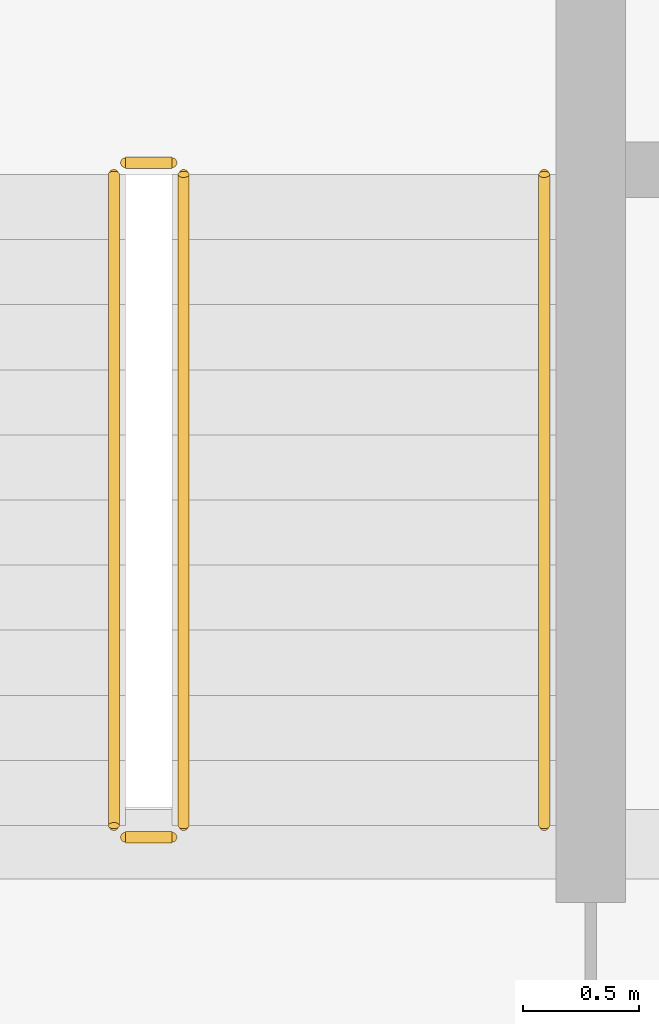
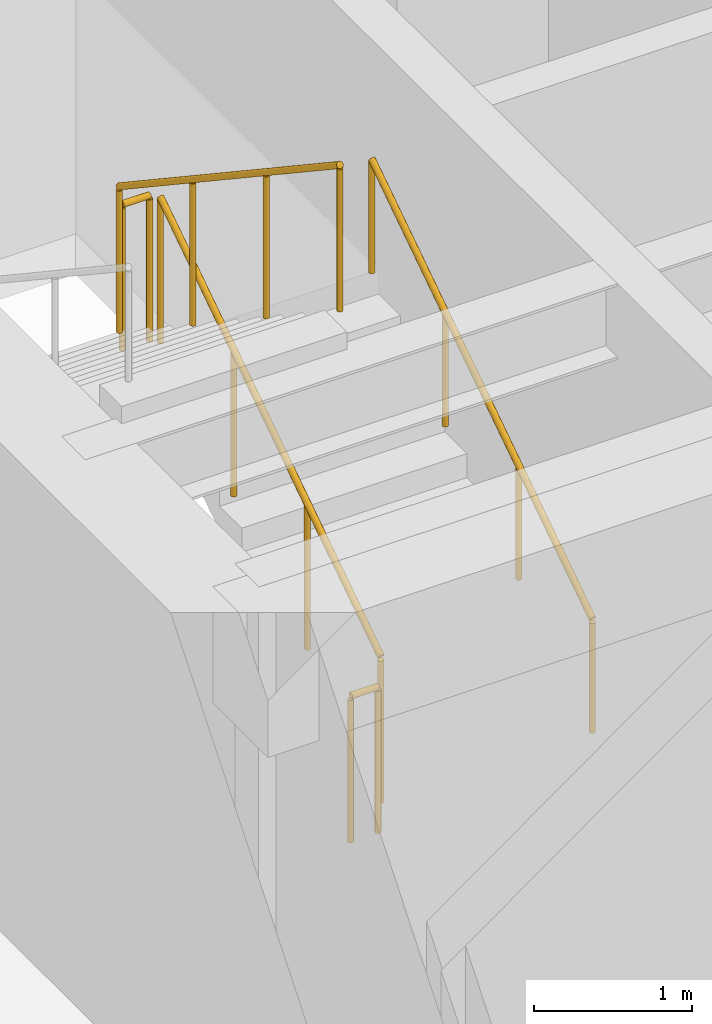
# One storey, part 35 of 37: 5 railings.
"""IFC4 building model written with IfcOpenShell, lengths in metres."""

import ifcopenshell
import ifcopenshell.guid

model = None  # the IFC model being written
_history = None  # IfcOwnerHistory: only IFC2X3 demands one
_inside = {}  # id of a spatial element -> (the spatial element, [elements in it])
_under = {}  # id of a project, library or spatial element -> (it, [spatial elements below it])
_declared = {}  # id of a project -> (the project, [libraries it declares])
_typed = {}  # id of a type object -> (the type object, [elements of that type])
_made_of = {}  # id of a material, layer set ... -> (it, [elements and type objects made of it])


def new_model(schema):
    """Start an empty IFC model of exactly this schema.

    Asked for "IFC4X3", IfcOpenShell would pick the latest addendum, in which some entities
    have other attributes; the version numbers below select the first issue.
    IFC2X3 requires an IfcOwnerHistory on every rooted entity: one is made here for all.
    """
    global model, _history
    if schema == "IFC4X3":
        model = ifcopenshell.file(schema_version=(4, 3, 0, 0))
    else:
        model = ifcopenshell.file(schema=schema)
    _inside.clear()
    _under.clear()
    _declared.clear()
    _typed.clear()
    _made_of.clear()
    _history = None
    if model.schema == "IFC2X3":
        org = make("IfcOrganization", Name="unknown")
        user = make(
            "IfcPersonAndOrganization",
            ThePerson=make("IfcPerson", FamilyName="unknown"),
            TheOrganization=org,
        )
        app = make(
            "IfcApplication",
            ApplicationDeveloper=org,
            Version="unknown",
            ApplicationFullName="unknown",
            ApplicationIdentifier="unknown",
        )
        _history = make(
            "IfcOwnerHistory",
            OwningUser=user,
            OwningApplication=app,
            ChangeAction="ADDED",
            CreationDate=0,
        )
    return model


def make(cls, **values):
    """One entity of the class cls with the attributes given. An attribute that is None is left unset."""
    return model.create_entity(
        cls, **{name: value for name, value in values.items() if value is not None}
    )


def rooted(cls, **values):
    """An entity with a GlobalId (a new one), such as an element, a storey or a relation."""
    return make(cls, GlobalId=ifcopenshell.guid.new(), OwnerHistory=_history, **values)


def si_unit(unit_type, name, prefix=None):
    """IfcSIUnit, for example si_unit("LENGTHUNIT", "METRE", prefix="MILLI")."""
    return make("IfcSIUnit", UnitType=unit_type, Prefix=prefix, Name=name)


def assignment(units):
    """IfcUnitAssignment: the units of a project."""
    return None if units is None else make("IfcUnitAssignment", Units=units)


def point(xyz):
    """IfcCartesianPoint."""
    return None if xyz is None else make("IfcCartesianPoint", Coordinates=xyz)


def direction(xyz):
    """IfcDirection."""
    return None if xyz is None else make("IfcDirection", DirectionRatios=xyz)


def frame(location, z_axis=None, x_axis=None):
    """IfcAxis2Placement3D, a coordinate frame: its origin and axes. An axis left out is left unset."""
    return make(
        "IfcAxis2Placement3D",
        Location=point(location),
        Axis=direction(z_axis),
        RefDirection=direction(x_axis),
    )


def frame_2d(location, x_axis=None):
    """IfcAxis2Placement2D, a coordinate frame in the plane: its origin and x axis."""
    return make(
        "IfcAxis2Placement2D", Location=point(location), RefDirection=direction(x_axis)
    )


def origin():
    """The frame at (0, 0, 0) with its axes left unset."""
    return frame((0.0, 0.0, 0.0))


def origin_2d():
    """The frame at (0, 0) in the plane with its x axis left unset."""
    return frame_2d((0.0, 0.0))


def place(relative_to, where):
    """IfcLocalPlacement: puts the frame where relative to a parent placement (None: the world)."""
    return make(
        "IfcLocalPlacement", PlacementRelTo=relative_to, RelativePlacement=where
    )


def context(
    kind, dimensions, precision=None, world=None, true_north=None, identifier=None
):
    """IfcGeometricRepresentationContext, for example the 3D "Model" context."""
    return make(
        "IfcGeometricRepresentationContext",
        ContextIdentifier=identifier,
        ContextType=kind,
        CoordinateSpaceDimension=dimensions,
        Precision=precision,
        WorldCoordinateSystem=world,
        TrueNorth=true_north,
    )


def subcontext(parent, identifier, kind, view, scale=None):
    """IfcGeometricRepresentationSubContext, for example "Body" below "Model"."""
    return make(
        "IfcGeometricRepresentationSubContext",
        ContextIdentifier=identifier,
        ContextType=kind,
        ParentContext=parent,
        TargetScale=scale,
        TargetView=view,
    )


def project(units=None, contexts=None):
    """IfcProject with its units and contexts."""
    return rooted(
        "IfcProject",
        Name="project",
        RepresentationContexts=contexts,
        UnitsInContext=assignment(units),
    )


def spatial(cls, under=None, at=None, **own):
    """A site, building, storey or space (cls), placed at a placement, below another one or the project."""
    s = rooted(cls, ObjectPlacement=at, **own)
    if under is not None:
        _under.setdefault(under.id(), (under, []))[1].append(s)
    return s


def profile(cls, at=None, kind="AREA", **sizes):
    """A parametric profile (cls). Its sizes go by their IFC names, for example OverallWidth=200.0."""
    return make(cls, ProfileType=kind, Position=at, **sizes)


def circle(**sizes):
    """IfcCircleProfileDef."""
    return profile("IfcCircleProfileDef", **sizes)


def extrude(swept, where, along, depth):
    """IfcExtrudedAreaSolid: the profile swept, set in the frame where, extruded along a direction by depth."""
    return make(
        "IfcExtrudedAreaSolid",
        SweptArea=swept,
        Position=where,
        ExtrudedDirection=direction(along),
        Depth=depth,
    )


def shape(context_of_items, identifier, shape_type, items):
    """IfcShapeRepresentation: the items that make up one representation, for example the "Body"."""
    return make(
        "IfcShapeRepresentation",
        ContextOfItems=context_of_items,
        RepresentationIdentifier=identifier,
        RepresentationType=shape_type,
        Items=items,
    )


def source(mapping_origin, context_of_items, identifier, shape_type, items):
    """IfcRepresentationMap: a shape defined once, which mapped items show again and again."""
    return make(
        "IfcRepresentationMap",
        MappingOrigin=mapping_origin,
        MappedRepresentation=shape(context_of_items, identifier, shape_type, items),
    )


def transform(
    local_origin,
    x_axis=None,
    y_axis=None,
    z_axis=None,
    scale=None,
    scale2=None,
    scale3=None,
    uniform=True,
):
    """IfcCartesianTransformationOperator3D, or its non-uniform kind. x_axis, y_axis, z_axis: its Axis1, 2, 3."""
    if uniform:
        return make(
            "IfcCartesianTransformationOperator3D",
            Axis1=direction(x_axis),
            Axis2=direction(y_axis),
            LocalOrigin=point(local_origin),
            Scale=scale,
            Axis3=direction(z_axis),
        )
    return make(
        "IfcCartesianTransformationOperator3DnonUniform",
        Axis1=direction(x_axis),
        Axis2=direction(y_axis),
        LocalOrigin=point(local_origin),
        Scale=scale,
        Axis3=direction(z_axis),
        Scale2=scale2,
        Scale3=scale3,
    )


def mapped(mapping_source, mapping_target):
    """IfcMappedItem: shows the shape of a source again, moved by a transform."""
    return make(
        "IfcMappedItem", MappingSource=mapping_source, MappingTarget=mapping_target
    )


def material(Name=None, Category=None):
    """IfcMaterial."""
    return make("IfcMaterial", Name=Name, Category=Category)


def made_of(thing, what):
    """Note that an element or type object is made of a material, layer set ...; save() writes the relation."""
    if what is not None:
        _made_of.setdefault(what.id(), (what, []))[1].append(thing)
    return thing


def type_object(cls, material=None, **own):
    """A type object (cls), such as IfcWallType, which elements share."""
    return made_of(rooted(cls, **own), material)


def type_shapes(of_type, sources):
    """Give a type object the sources (RepresentationMaps) that its elements show as mapped items."""
    of_type.RepresentationMaps = sources


def element(
    cls,
    number,
    at=None,
    inside=None,
    cuts=None,
    type_object=None,
    material=None,
    context=None,
    identifier="Body",
    shape_type=None,
    held_by="IfcProductDefinitionShape",
    body=None,
    shapes=None,
    **own,
):
    """One element of the class cls, such as IfcWall. Its Tag is "e" and its number.

    at: its placement. inside: the storey or other place that contains it. cuts: it is an
    opening in that element (IfcRelVoidsElement). A single representation is given by context,
    identifier, shape_type and body (its items); several are given by shapes. held_by: the class
    of the entity that holds the representations. save() writes the other relations.
    """
    e = rooted(cls, Tag="e%d" % number, ObjectPlacement=at, **own)
    if body is not None:
        shapes = [shape(context, identifier, shape_type, body)]
    if shapes is not None:
        e.Representation = make(held_by, Representations=shapes)
    if inside is not None:
        _inside.setdefault(inside.id(), (inside, []))[1].append(e)
    if cuts is not None:
        rooted(
            "IfcRelVoidsElement", RelatingBuildingElement=cuts, RelatedOpeningElement=e
        )
    if type_object is not None:
        _typed.setdefault(type_object.id(), (type_object, []))[1].append(e)
    return made_of(e, material)


def aggregate(whole, parts):
    """IfcRelAggregates: a whole, such as a stair, and the parts it consists of."""
    return rooted("IfcRelAggregates", RelatingObject=whole, RelatedObjects=parts)


def save(model, path):
    """Write the relations noted so far, then the file.

    IfcRelAggregates (storeys below a building ...), IfcRelContainedInSpatialStructure (elements
    in a storey), IfcRelDefinesByType, IfcRelAssociatesMaterial and IfcRelDeclares: one each for
    every whole, place, type object, material and project.
    """
    for whole, parts in _under.values():
        aggregate(whole, parts)
    for where, things in _inside.values():
        rooted(
            "IfcRelContainedInSpatialStructure",
            RelatedElements=things,
            RelatingStructure=where,
        )
    for kind, things in _typed.values():
        rooted("IfcRelDefinesByType", RelatedObjects=things, RelatingType=kind)
    for what, things in _made_of.values():
        rooted("IfcRelAssociatesMaterial", RelatedObjects=things, RelatingMaterial=what)
    for by, libraries in _declared.values():
        rooted("IfcRelDeclares", RelatingContext=by, RelatedDefinitions=libraries)
    model.write(path)


model = new_model("IFC4")

# Units and contexts
model_context = context("Model", 3, precision=1e-05, world=origin(), true_north=direction((0.0, 1.0)))
body_context = subcontext(model_context, "Body", "Model", "MODEL_VIEW")
ifc_project = project(units=[si_unit("LENGTHUNIT", "METRE"), si_unit("AREAUNIT", "SQUARE_METRE"), si_unit("VOLUMEUNIT", "CUBIC_METRE"), si_unit("PLANEANGLEUNIT", "RADIAN"), si_unit("MASSUNIT", "GRAM", prefix="KILO")], contexts=[model_context])

# Site, building, storey
site_placement = place(None, origin())
site = spatial("IfcSite", under=ifc_project, at=site_placement, CompositionType="ELEMENT")
building_placement = place(site_placement, origin())
building = spatial("IfcBuilding", under=site, at=building_placement, Name="Haelvirn Gate Laboratories", CompositionType="ELEMENT")
storey_placement = place(building_placement, frame((0.0, 0.0, 78.5)))
storey = spatial("IfcBuildingStorey", under=building, at=storey_placement, Name="L19", CompositionType="ELEMENT", Elevation=78.5)

# Railings
ifc_material_1 = material(Name="Galvanised steel SM355 & stainless top rail", Category="steel")
railing_type_1 = type_object("IfcRailingType", Name="RL-GUARD-1150", PredefinedType="GUARDRAIL", material=ifc_material_1)
shared_shape_1 = source(origin(), body_context, "Body", "SweptSolid", [
    extrude(circle(Radius=0.02392578125, at=origin_2d()), frame((0.0, 0.0, 1.1259765625), z_axis=(-1.0, 0.0, 0.0), x_axis=(0.0, -1.0, 0.0)), (0.0, 0.0, 1.0), 0.199951171875),
    extrude(circle(Radius=0.02099609375, at=origin_2d()), origin(), (0.0, 0.0, 1.0), 1.101806640625),
    extrude(circle(Radius=0.02099609375, at=origin_2d()), frame((-0.199951171875, 0.0, 0.0)), (0.0, 0.0, 1.0), 1.101806640625),
])
for number, where, name in (
    (1, (9.64990234375, 29.550048828125, 2.050048828125), "L19 ST1 stair guard 2"),
    (2, (9.64990234375, 26.64990234375, 0.0), "L19 ST1 stair guard 4"),
):
    element("IfcRailing", number, at=place(storey_placement, frame(where)), inside=storey, type_object=railing_type_1, Name=name, PredefinedType="GUARDRAIL", context=body_context, shape_type="MappedRepresentation", body=[
        mapped(shared_shape_1, transform((0.0, 0.0, 0.0), scale=1.0)),
    ])
shared_shape_2 = source(origin(), body_context, "Body", "SweptSolid", [
    extrude(circle(Radius=0.02392578125, at=origin_2d()), frame((0.0, 0.0, 1.1259765625), z_axis=(0.0, -0.832452072856, 0.554097055034), x_axis=(1.0, 0.0, 0.0)), (0.0, 0.0, 1.0), 3.363525390625),
    extrude(circle(Radius=0.02099609375, at=origin_2d()), origin(), (0.0, 0.0, 1.0), 1.101806640625),
    extrude(circle(Radius=0.02099609375, at=origin_2d()), frame((0.0, -0.933349609375, 0.621337890625)), (0.0, 0.0, 1.0), 1.101806640625),
    extrude(circle(Radius=0.02099609375, at=origin_2d()), frame((0.0, -1.86669921875, 1.242431640625)), (0.0, 0.0, 1.0), 1.101806640625),
    extrude(circle(Radius=0.02099609375, at=origin_2d()), frame((0.0, -2.800048828125, 1.86376953125)), (0.0, 0.0, 1.0), 1.101806640625),
])
railing_1_placement = place(storey_placement, frame((9.39990234375, 29.5, 2.236328125)))
element("IfcRailing", 3, at=railing_1_placement, inside=storey, type_object=railing_type_1, Name="L19 ST1 stair guard 3", PredefinedType="GUARDRAIL", context=body_context, shape_type="MappedRepresentation", body=[
    mapped(shared_shape_2, transform((0.0, 0.0, 0.0), scale=1.0)),
])
shared_shape_3 = source(origin(), body_context, "Body", "SweptSolid", [
    extrude(circle(Radius=0.02392578125, at=origin_2d()), frame((0.0, 0.0, 1.1259765625), z_axis=(0.0, 0.832452072856, 0.554097055034), x_axis=(-1.0, 0.0, 0.0)), (0.0, 0.0, 1.0), 3.363525390625),
    extrude(circle(Radius=0.02099609375, at=origin_2d()), origin(), (0.0, 0.0, 1.0), 1.101806640625),
    extrude(circle(Radius=0.02099609375, at=origin_2d()), frame((0.0, 0.933349609375, 0.621337890625)), (0.0, 0.0, 1.0), 1.101806640625),
    extrude(circle(Radius=0.02099609375, at=origin_2d()), frame((0.0, 1.86669921875, 1.242431640625)), (0.0, 0.0, 1.0), 1.101806640625),
    extrude(circle(Radius=0.02099609375, at=origin_2d()), frame((0.0, 2.800048828125, 1.86376953125)), (0.0, 0.0, 1.0), 1.101806640625),
])
type_shapes(railing_type_1, [shared_shape_1, shared_shape_2, shared_shape_3])
railing_2_placement = place(storey_placement, frame((9.699951171875, 26.699951171875, 0.186279296875)))
element("IfcRailing", 4, at=railing_2_placement, inside=storey, type_object=railing_type_1, Name="L19 ST1 stair guard 1", PredefinedType="GUARDRAIL", context=body_context, shape_type="MappedRepresentation", body=[
    mapped(shared_shape_3, transform((0.0, 0.0, 0.0), scale=1.0)),
])
ifc_material_2 = material(Name="Brushed stainless steel 316L", Category="steel")
railing_type_2 = type_object("IfcRailingType", Name="RL-HAND-920", PredefinedType="HANDRAIL", material=ifc_material_2)
shared_shape_4 = source(origin(), body_context, "Body", "SweptSolid", [
    extrude(circle(Radius=0.02392578125, at=origin_2d()), frame((0.0, 0.0, 0.8759765625), z_axis=(0.0, 0.832452072856, 0.554097055034), x_axis=(-1.0, 0.0, 0.0)), (0.0, 0.0, 1.0), 3.363525390625),
    extrude(circle(Radius=0.02099609375, at=origin_2d()), origin(), (0.0, 0.0, 1.0), 0.851806640625),
    extrude(circle(Radius=0.02099609375, at=origin_2d()), frame((0.0, 0.933349609375, 0.621337890625)), (0.0, 0.0, 1.0), 0.851806640625),
    extrude(circle(Radius=0.02099609375, at=origin_2d()), frame((0.0, 1.86669921875, 1.242431640625)), (0.0, 0.0, 1.0), 0.851806640625),
    extrude(circle(Radius=0.02099609375, at=origin_2d()), frame((0.0, 2.800048828125, 1.86376953125)), (0.0, 0.0, 1.0), 0.851806640625),
])
type_shapes(railing_type_2, [shared_shape_4])
railing_3_placement = place(storey_placement, frame((11.25, 26.699951171875, 0.186279296875)))
element("IfcRailing", 5, at=railing_3_placement, inside=storey, type_object=railing_type_2, Name="L19 ST1 stair handrail 1", PredefinedType="HANDRAIL", context=body_context, shape_type="MappedRepresentation", body=[
    mapped(shared_shape_4, transform((0.0, 0.0, 0.0), scale=1.0)),
])

save(model, "model.ifc")
